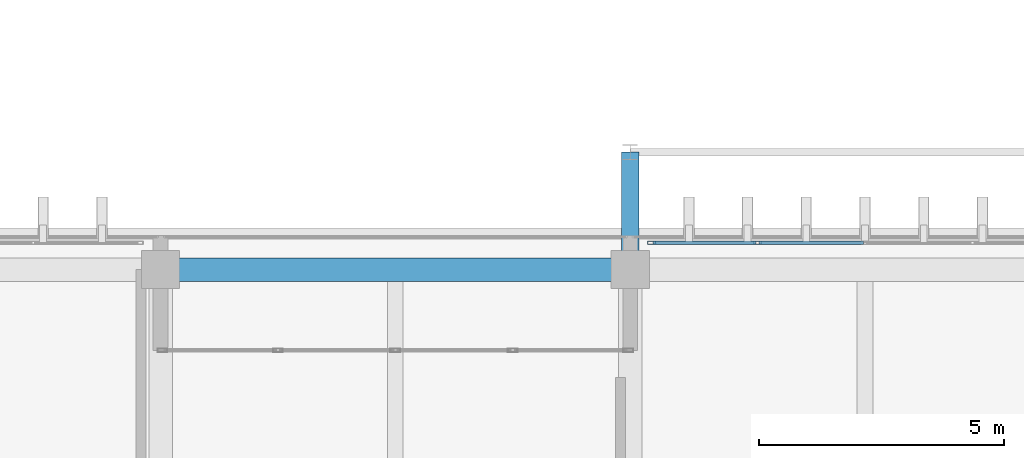
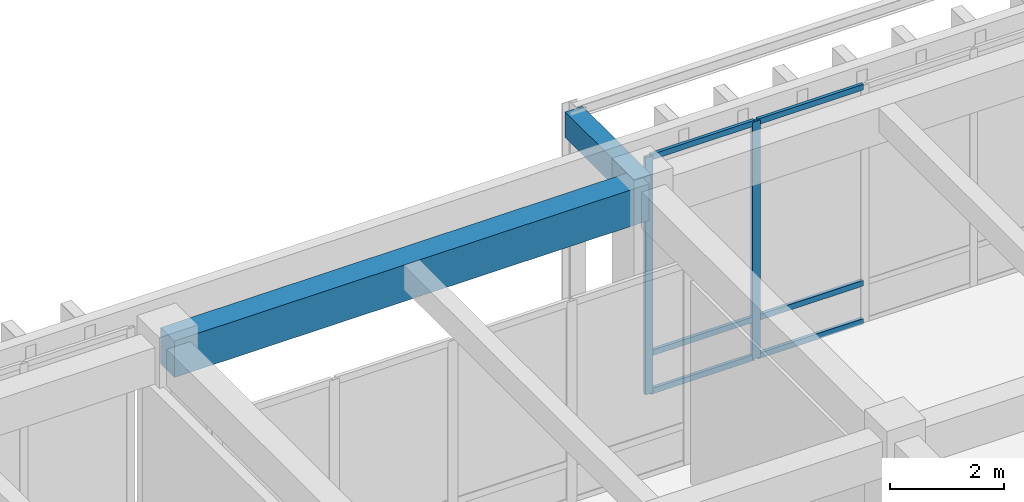
# One storey, part 52 of 134: 8 members, 2 beams, 1 element without a shape of its own.
"""IFC4 building model written with IfcOpenShell, lengths in metres."""

from ifc_helpers import new_model, si_unit, direction, frame, origin, origin_2d, place, context, subcontext, project, spatial, rectangle, hollow_rectangle, extrude, material, layer, layer_set, material_profile, profile_set, type_object, element, aggregate, save


model = new_model("IFC4")

# Units and contexts
model_context = context("Model", 3, precision=1e-05, world=origin(), true_north=direction((0.0, 1.0)))
body_context = subcontext(model_context, "Body", "Model", "MODEL_VIEW")
ifc_project = project(units=[si_unit("LENGTHUNIT", "METRE"), si_unit("AREAUNIT", "SQUARE_METRE"), si_unit("VOLUMEUNIT", "CUBIC_METRE"), si_unit("PLANEANGLEUNIT", "RADIAN"), si_unit("MASSUNIT", "GRAM", prefix="KILO")], contexts=[model_context])

# Site, building, storey
site_placement = place(None, origin())
site = spatial("IfcSite", under=ifc_project, at=site_placement, CompositionType="ELEMENT")
building_placement = place(site_placement, origin())
building = spatial("IfcBuilding", under=site, at=building_placement, Name="Nakhvara Creek Congress Hotel", CompositionType="ELEMENT")
storey_placement = place(building_placement, frame((0.0, 0.0, 6.0)))
storey = spatial("IfcBuildingStorey", under=building, at=storey_placement, Name="L01", CompositionType="ELEMENT", Elevation=6.0)

# Beams
ifc_material_1 = material(Name="Concrete C40/50", Category="concrete")
ifc_material_profile_1 = material_profile(ifc_material_1, rectangle(XDim=0.35009765625, YDim=0.550048828125, at=origin_2d()), Name="RC-BM 350x550", Category="LoadBearing")
ifc_profile_set_1 = profile_set([ifc_material_profile_1], Name="Concrete C40/50")
beam_type_1 = type_object("IfcBeamType", Name="BM-CANT-BOX", PredefinedType="BEAM", material=ifc_profile_set_1)
beam_1_placement = place(storey_placement, frame((105.60009765625, 95.25, 4.824951171875), z_axis=(0.0, 1.0, 0.0), x_axis=(-1.0, 0.0, 0.0)))
element("IfcBeam", 1, at=beam_1_placement, inside=storey, type_object=beam_type_1, Name="Foyer Box Outrigger Beam PBOX-L02-N2-105", PredefinedType="BEAM", context=body_context, shape_type="SweptSolid", body=[
    extrude(rectangle(XDim=0.35009765625, YDim=0.550048828125, at=origin_2d()), origin(), (0.0, 0.0, 1.0), 2.39990234375),
])
ifc_material_profile_2 = material_profile(ifc_material_1, rectangle(XDim=0.47998046875, YDim=0.780029296875, at=origin_2d()), Name="RC-BM 480x780", Category="LoadBearing")
ifc_profile_set_2 = profile_set([ifc_material_profile_2], Name="Concrete C40/50")
beam_type_2 = type_object("IfcBeamType", Name="BM-RC-480X780", PredefinedType="BEAM", material=ifc_profile_set_2)
beam_2_placement = place(storey_placement, frame((96.0, 95.25, 4.7099609375), z_axis=(1.0, 0.0, 0.0), x_axis=(0.0, 1.0, 0.0)))
element("IfcBeam", 2, at=beam_2_placement, inside=storey, type_object=beam_type_2, Name="Beam B13-L01-1189", PredefinedType="BEAM", context=body_context, shape_type="SweptSolid", body=[
    extrude(rectangle(XDim=0.47998046875, YDim=0.780029296875, at=origin_2d()), origin(), (0.0, 0.0, 1.0), 9.60009765625),
])

# Curtain wall, members
ifc_material_2 = material(Name="Bronze-anodised aluminium AW-6063-T6 and double-silver low-E glass", Category="aluminium")
ifc_layer = layer(ifc_material_2, 0.199951171875)
ifc_layer_set = layer_set([ifc_layer], Name="Bronze-anodised aluminium AW-6063-T6 and double-silver low-E glass")
curtain_wall_type = type_object("IfcCurtainWallType", Name="CW-POD-STICK", PredefinedType="NOTDEFINED", material=ifc_layer_set)
curtain_wall_placement = place(storey_placement, origin())
curtain_wall = element("IfcCurtainWall", 3, at=curtain_wall_placement, inside=storey, type_object=curtain_wall_type, Name="Curtain Wall CW071", PredefinedType="NOTDEFINED")
ifc_material_3 = material(Name="Bronze-anodised aluminium AW-6063-T6", Category="aluminium")
ifc_material_profile_3 = material_profile(ifc_material_3, hollow_rectangle(XDim=0.06494140625, YDim=0.159912109375, WallThickness=0.00390625, at=origin_2d()), Name="ALU-MULL 65x160x4", Category="LoadBearing")
ifc_profile_set_3 = profile_set([ifc_material_profile_3], Name="Bronze-anodised aluminium AW-6063-T6")
member_type_1 = type_object("IfcMemberType", Name="CW-MULL-160", PredefinedType="MULLION", material=ifc_profile_set_3)
member_1_placement = place(storey_placement, frame((106.03759765625, 95.800048828125, 0.0), z_axis=(0.0, 0.0, 1.0), x_axis=(0.0, 1.0, 0.0)))
member_1 = element("IfcMember", 4, at=member_1_placement, type_object=member_type_1, Name="CW071 mullion 1", PredefinedType="MULLION", context=body_context, shape_type="SweptSolid", body=[
    extrude(hollow_rectangle(XDim=0.06494140625, YDim=0.159912109375, WallThickness=0.00390625, at=origin_2d()), origin(), (0.0, 0.0, 1.0), 5.070068359375),
])
member_2_placement = place(storey_placement, frame((108.202392578125, 95.800048828125, 0.0), z_axis=(0.0, 0.0, 1.0), x_axis=(0.0, 1.0, 0.0)))
member_2 = element("IfcMember", 5, at=member_2_placement, type_object=member_type_1, Name="CW071 mullion 2", PredefinedType="MULLION", context=body_context, shape_type="SweptSolid", body=[
    extrude(hollow_rectangle(XDim=0.06494140625, YDim=0.159912109375, WallThickness=0.00390625, at=origin_2d()), origin(), (0.0, 0.0, 1.0), 5.070068359375),
])
ifc_material_profile_4 = material_profile(ifc_material_3, hollow_rectangle(XDim=0.06494140625, YDim=0.1201171875, WallThickness=0.00390625, at=origin_2d()), Name="ALU-TRAN 65x120x4", Category="LoadBearing")
ifc_profile_set_4 = profile_set([ifc_material_profile_4], Name="Bronze-anodised aluminium AW-6063-T6")
member_type_2 = type_object("IfcMemberType", Name="CW-TRAN-120", PredefinedType="USERDEFINED", material=ifc_profile_set_4)
member_3_placement = place(storey_placement, frame((106.070068359375, 95.800048828125, 0.032470703125), z_axis=(1.0, 0.0, 0.0), x_axis=(0.0, 1.0, 0.0)))
member_3 = element("IfcMember", 6, at=member_3_placement, type_object=member_type_2, Name="CW071 transom 1.1", ObjectType="TRANSOM", PredefinedType="USERDEFINED", context=body_context, shape_type="SweptSolid", body=[
    extrude(hollow_rectangle(XDim=0.06494140625, YDim=0.1201171875, WallThickness=0.00390625, at=origin_2d()), origin(), (0.0, 0.0, 1.0), 2.099853515625),
])
member_4_placement = place(storey_placement, frame((106.070068359375, 95.800048828125, 0.85009765625), z_axis=(1.0, 0.0, 0.0), x_axis=(0.0, 1.0, 0.0)))
member_4 = element("IfcMember", 7, at=member_4_placement, type_object=member_type_2, Name="CW071 transom 1.2", ObjectType="TRANSOM", PredefinedType="USERDEFINED", context=body_context, shape_type="SweptSolid", body=[
    extrude(hollow_rectangle(XDim=0.06494140625, YDim=0.1201171875, WallThickness=0.00390625, at=origin_2d()), origin(), (0.0, 0.0, 1.0), 2.099853515625),
])
member_5_placement = place(storey_placement, frame((106.070068359375, 95.800048828125, 5.03759765625), z_axis=(1.0, 0.0, 0.0), x_axis=(0.0, 1.0, 0.0)))
member_5 = element("IfcMember", 8, at=member_5_placement, type_object=member_type_2, Name="CW071 transom 1.3", ObjectType="TRANSOM", PredefinedType="USERDEFINED", context=body_context, shape_type="SweptSolid", body=[
    extrude(hollow_rectangle(XDim=0.06494140625, YDim=0.1201171875, WallThickness=0.00390625, at=origin_2d()), origin(), (0.0, 0.0, 1.0), 2.099853515625),
])
member_6_placement = place(storey_placement, frame((108.235107421875, 95.800048828125, 0.032470703125), z_axis=(1.0, 0.0, 0.0), x_axis=(0.0, 1.0, 0.0)))
member_6 = element("IfcMember", 9, at=member_6_placement, type_object=member_type_2, Name="CW071 transom 2.1", ObjectType="TRANSOM", PredefinedType="USERDEFINED", context=body_context, shape_type="SweptSolid", body=[
    extrude(hollow_rectangle(XDim=0.06494140625, YDim=0.1201171875, WallThickness=0.00390625, at=origin_2d()), origin(), (0.0, 0.0, 1.0), 2.13232421875),
])
member_7_placement = place(storey_placement, frame((108.235107421875, 95.800048828125, 0.85009765625), z_axis=(1.0, 0.0, 0.0), x_axis=(0.0, 1.0, 0.0)))
member_7 = element("IfcMember", 10, at=member_7_placement, type_object=member_type_2, Name="CW071 transom 2.2", ObjectType="TRANSOM", PredefinedType="USERDEFINED", context=body_context, shape_type="SweptSolid", body=[
    extrude(hollow_rectangle(XDim=0.06494140625, YDim=0.1201171875, WallThickness=0.00390625, at=origin_2d()), origin(), (0.0, 0.0, 1.0), 2.13232421875),
])
member_8_placement = place(storey_placement, frame((108.235107421875, 95.800048828125, 5.03759765625), z_axis=(1.0, 0.0, 0.0), x_axis=(0.0, 1.0, 0.0)))
member_8 = element("IfcMember", 11, at=member_8_placement, type_object=member_type_2, Name="CW071 transom 2.3", ObjectType="TRANSOM", PredefinedType="USERDEFINED", context=body_context, shape_type="SweptSolid", body=[
    extrude(hollow_rectangle(XDim=0.06494140625, YDim=0.1201171875, WallThickness=0.00390625, at=origin_2d()), origin(), (0.0, 0.0, 1.0), 2.13232421875),
])
aggregate(curtain_wall, [member_1, member_2, member_3, member_4, member_5, member_6, member_7, member_8])

save(model, "model.ifc")
